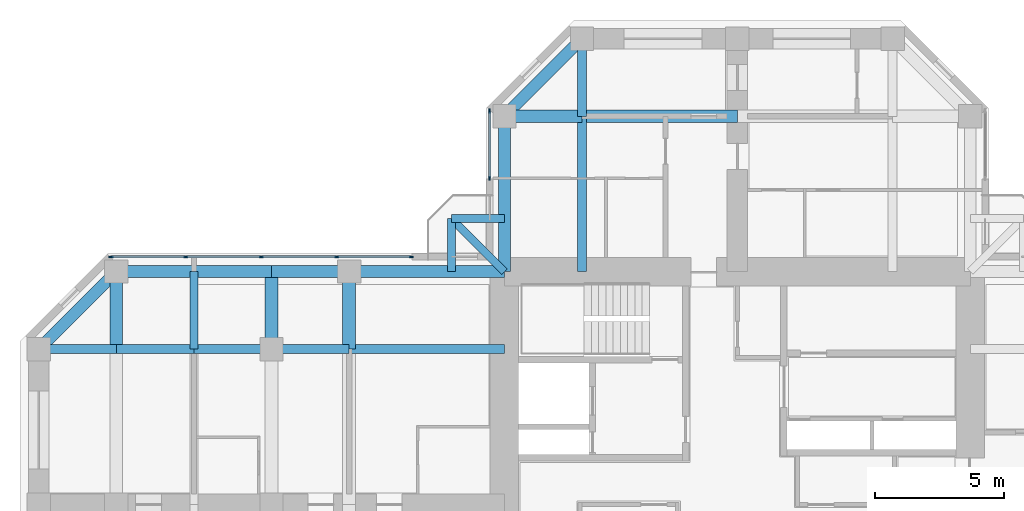
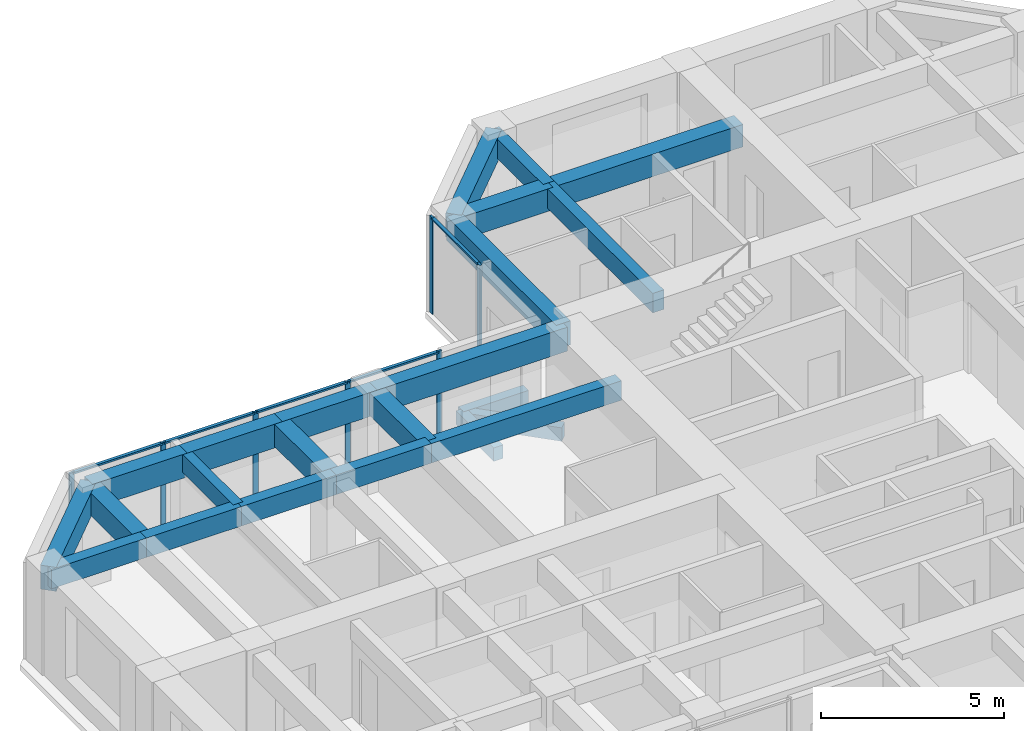
# One storey, part 5 of 14: 23 beams, 12 members, 2 elements without a shape of their own.
"""IFC4 building model written with IfcOpenShell, lengths in metres."""

from ifc_helpers import new_model, si_unit, direction, frame, origin, origin_2d, place, context, subcontext, project, spatial, rectangle, extrude, material, material_profile, profile_set, type_object, element, aggregate, save


model = new_model("IFC4")

# Units and contexts
model_context = context("Model", 3, precision=1e-05, world=origin(), true_north=direction((0.0, 1.0)))
body_context = subcontext(model_context, "Body", "Model", "MODEL_VIEW")
ifc_project = project(units=[si_unit("LENGTHUNIT", "METRE"), si_unit("AREAUNIT", "SQUARE_METRE"), si_unit("VOLUMEUNIT", "CUBIC_METRE"), si_unit("PLANEANGLEUNIT", "RADIAN"), si_unit("MASSUNIT", "GRAM", prefix="KILO")], contexts=[model_context])

# Site, building, storey
site_placement = place(None, origin())
site = spatial("IfcSite", under=ifc_project, at=site_placement, CompositionType="ELEMENT")
building_placement = place(site_placement, origin())
building = spatial("IfcBuilding", under=site, at=building_placement, Name="Torre Cruceta", CompositionType="ELEMENT")
storey_placement = place(building_placement, frame((0.0, 0.0, 210.300048828125)))
storey = spatial("IfcBuildingStorey", under=building, at=storey_placement, Name="L53", CompositionType="ELEMENT", Elevation=210.300048828125)

# Beams
ifc_material_1 = material(Name="Concrete G60 (fck 60 MPa)", Category="concrete")
ifc_material_profile_1 = material_profile(ifc_material_1, rectangle(XDim=0.300048828125, YDim=0.449951171875, at=origin_2d()), Name="RC 300X450")
ifc_profile_set_1 = profile_set([ifc_material_profile_1], Name="Concrete G60 (fck 60 MPa)")
beam_type_1 = type_object("IfcBeamType", Name="BALCONY CANTILEVER BEAM RC 300X450", PredefinedType="BEAM", material=ifc_profile_set_1)
beam_1_placement = place(storey_placement, frame((-9.0, 9.0, -0.405029296875), z_axis=(-0.707106781187, 0.707106781187, 0.0), x_axis=(-0.707106781187, -0.707106781187, 0.0)))
element("IfcBeam", 1, at=beam_1_placement, inside=storey, type_object=beam_type_1, Name="BB1 balcony beam L53 N", PredefinedType="BEAM", context=body_context, shape_type="SweptSolid", body=[
    extrude(rectangle(XDim=0.300048828125, YDim=0.449951171875, at=origin_2d()), origin(), (0.0, 0.0, 1.0), 2.89990234375),
])
for number, where, z_axis, x_axis, name in (
    (2, (-11.050537109375, 9.0, -0.405029296875), (0.0, 1.0, 0.0), (-1.0, 0.0, 0.0), "BB1 balcony edge beam L53 N-X"),
    (3, (-9.0, 11.050537109375, -0.405029296875), (-1.0, 0.0, 0.0), (0.0, -1.0, 0.0), "BB1 balcony edge beam L53 N-Y"),
):
    element("IfcBeam", number, at=place(storey_placement, frame(where, z_axis=z_axis, x_axis=x_axis)), inside=storey, type_object=beam_type_1, Name=name, PredefinedType="BEAM", context=body_context, shape_type="SweptSolid", body=[
        extrude(rectangle(XDim=0.300048828125, YDim=0.449951171875, at=origin_2d()), origin(), (0.0, 0.0, 1.0), 2.050537109375),
    ])
ifc_material_2 = material(Name="Concrete G60 (fck 60 MPa)", Category="concrete")
ifc_material_profile_2 = material_profile(ifc_material_2, rectangle(XDim=0.35009765625, YDim=0.64990234375, at=origin_2d()), Name="RC 350X650")
ifc_profile_set_2 = profile_set([ifc_material_profile_2], Name="Concrete G60 (fck 60 MPa)")
beam_type_2 = type_object("IfcBeamType", Name="COLUMN LINE BEAM RC 350X650", PredefinedType="BEAM", material=ifc_profile_set_2)
beam_2_placement = place(storey_placement, frame((-6.0, 9.0, 2.89501953125), z_axis=(0.0, 1.0, 0.0), x_axis=(-1.0, 0.0, 0.0)))
element("IfcBeam", 4, at=beam_2_placement, inside=storey, type_object=beam_type_2, Name="LB7 L53 N col+ 1", PredefinedType="BEAM", context=body_context, shape_type="SweptSolid", body=[
    extrude(rectangle(XDim=0.35009765625, YDim=0.64990234375, at=origin_2d()), origin(), (0.0, 0.0, 1.0), 6.0),
])
beam_3_placement = place(storey_placement, frame((-6.0, 15.0, 2.89501953125), z_axis=(0.0, 1.0, 0.0), x_axis=(-1.0, 0.0, 0.0)))
element("IfcBeam", 5, at=beam_3_placement, inside=storey, type_object=beam_type_2, Name="LB7 L53 N col+ 2", PredefinedType="BEAM", context=body_context, shape_type="SweptSolid", body=[
    extrude(rectangle(XDim=0.35009765625, YDim=0.64990234375, at=origin_2d()), origin(), (0.0, 0.0, 1.0), 3.0),
])
beam_4_placement = place(storey_placement, frame((-9.0, 6.0, 2.89501953125), z_axis=(-1.0, 0.0, 0.0), x_axis=(0.0, -1.0, 0.0)))
element("IfcBeam", 6, at=beam_4_placement, inside=storey, type_object=beam_type_2, Name="LB7 L53 W col- 1", PredefinedType="BEAM", context=body_context, shape_type="SweptSolid", body=[
    extrude(rectangle(XDim=0.35009765625, YDim=0.64990234375, at=origin_2d()), origin(), (0.0, 0.0, 1.0), 6.0),
])
for number, where, z_axis, x_axis, name in (
    (7, (-15.0, 6.0, 2.89501953125), (-1.0, 0.0, 0.0), (0.0, -1.0, 0.0), "LB7 L53 W col- 2"),
    (8, (-18.0, 6.0, 2.89501953125), (-1.0, 0.0, 0.0), (0.0, -1.0, 0.0), "LB7 L53 W col- 3"),
    (9, (-21.0, 6.0, 2.89501953125), (-1.0, 0.0, 0.0), (0.0, -1.0, 0.0), "LB7 L53 W col- 4"),
    (10, (-24.0, 6.0, 2.89501953125), (-1.0, 0.0, 0.0), (0.0, -1.0, 0.0), "LB7 L53 W col- 5"),
):
    element("IfcBeam", number, at=place(storey_placement, frame(where, z_axis=z_axis, x_axis=x_axis)), inside=storey, type_object=beam_type_2, Name=name, PredefinedType="BEAM", context=body_context, shape_type="SweptSolid", body=[
        extrude(rectangle(XDim=0.35009765625, YDim=0.64990234375, at=origin_2d()), origin(), (0.0, 0.0, 1.0), 3.0),
    ])
ifc_material_3 = material(Name="Concrete G60 (fck 60 MPa)", Category="concrete")
ifc_material_profile_3 = material_profile(ifc_material_3, rectangle(XDim=0.5, YDim=0.75, at=origin_2d()), Name="RC 500X750")
ifc_profile_set_3 = profile_set([ifc_material_profile_3], Name="Concrete G60 (fck 60 MPa)")
beam_type_3 = type_object("IfcBeamType", Name="CROSS BEAM RC 500X750", PredefinedType="BEAM", material=ifc_profile_set_3)
beam_5_placement = place(storey_placement, frame((0.0, 15.0, 2.844970703125), z_axis=(-1.0, 0.0, 0.0), x_axis=(0.0, -1.0, 0.0)))
element("IfcBeam", 11, at=beam_5_placement, inside=storey, type_object=beam_type_3, Name="GB6 L53 N cross15 3", PredefinedType="BEAM", context=body_context, shape_type="SweptSolid", body=[
    extrude(rectangle(XDim=0.5, YDim=0.75, at=origin_2d()), origin(), (0.0, 0.0, 1.0), 6.0),
])
for number, where, z_axis, x_axis, name in (
    (12, (-6.0, 15.0, 2.844970703125), (-1.0, 0.0, 0.0), (0.0, -1.0, 0.0), "GB6 L53 N cross15 4"),
    (13, (-15.0, 9.0, 2.844970703125), (0.0, -1.0, 0.0), (1.0, 0.0, 0.0), "GB6 L53 W cross15 1"),
    (14, (-18.0, 9.0, 2.844970703125), (0.0, -1.0, 0.0), (1.0, 0.0, 0.0), "GB6 L53 W cross18 1"),
    (15, (-24.0, 9.0, 2.844970703125), (0.0, -1.0, 0.0), (1.0, 0.0, 0.0), "GB6 L53 W cross24 1"),
):
    element("IfcBeam", number, at=place(storey_placement, frame(where, z_axis=z_axis, x_axis=x_axis)), inside=storey, type_object=beam_type_3, Name=name, PredefinedType="BEAM", context=body_context, shape_type="SweptSolid", body=[
        extrude(rectangle(XDim=0.5, YDim=0.75, at=origin_2d()), origin(), (0.0, 0.0, 1.0), 3.0),
    ])

# Curtain wall, members
ifc_material_4 = material(Name="Aluminium unitised curtain wall", Category="aluminium")
curtain_wall_type = type_object("IfcCurtainWallType", Name="CURTAIN WALL CW-C CO-LIVING", PredefinedType="USERDEFINED", material=ifc_material_4)
curtain_wall_1_placement = place(storey_placement, origin())
curtain_wall_1 = element("IfcCurtainWall", 16, at=curtain_wall_1_placement, inside=storey, type_object=curtain_wall_type, Name="CW-C L53 N side 09", ObjectType="UNITISED", PredefinedType="USERDEFINED")
ifc_material_5 = material(Name="Aluminium mullion", Category="aluminium")
ifc_material_profile_4 = material_profile(ifc_material_5, rectangle(XDim=0.06005859375, YDim=0.159912109375, at=origin_2d()), Name="AL 60X160")
ifc_profile_set_4 = profile_set([ifc_material_profile_4], Name="Aluminium mullion")
member_type_1 = type_object("IfcMemberType", Name="CW-C MULLION 60X160", PredefinedType="MULLION", material=ifc_profile_set_4)
member_1_placement = place(storey_placement, frame((-9.570068359375, 15.2060546875, 0.0), z_axis=(0.0, 0.0, 1.0), x_axis=(1.0, 0.0, 0.0)))
member_1 = element("IfcMember", 17, at=member_1_placement, type_object=member_type_1, Name="CW-C mullion 1", PredefinedType="MULLION", context=body_context, shape_type="SweptSolid", body=[
    extrude(rectangle(XDim=0.06005859375, YDim=0.159912109375, at=origin_2d()), origin(), (0.0, 0.0, 1.0), 3.219970703125),
])
member_2_placement = place(storey_placement, frame((-9.570068359375, 12.60009765625, 0.0), z_axis=(0.0, 0.0, 1.0), x_axis=(1.0, 0.0, 0.0)))
member_2 = element("IfcMember", 18, at=member_2_placement, type_object=member_type_1, Name="CW-C mullion 2", PredefinedType="MULLION", context=body_context, shape_type="SweptSolid", body=[
    extrude(rectangle(XDim=0.06005859375, YDim=0.159912109375, at=origin_2d()), origin(), (0.0, 0.0, 1.0), 3.219970703125),
])

curtain_wall_2_placement = place(storey_placement, origin())
curtain_wall_2 = element("IfcCurtainWall", 19, at=curtain_wall_2_placement, inside=storey, type_object=curtain_wall_type, Name="CW-C L53 W side 10", ObjectType="UNITISED", PredefinedType="USERDEFINED")
member_3_placement = place(storey_placement, frame((-12.60009765625, 9.570068359375, 0.0), z_axis=(0.0, 0.0, 1.0), x_axis=(0.0, -1.0, 0.0)))
member_3 = element("IfcMember", 20, at=member_3_placement, type_object=member_type_1, Name="CW-C mullion 1", PredefinedType="MULLION", context=body_context, shape_type="SweptSolid", body=[
    extrude(rectangle(XDim=0.06005859375, YDim=0.159912109375, at=origin_2d()), origin(), (0.0, 0.0, 1.0), 3.219970703125),
])
member_4_placement = place(storey_placement, frame((-15.486572265625, 9.570068359375, 0.0), z_axis=(0.0, 0.0, 1.0), x_axis=(0.0, -1.0, 0.0)))
member_4 = element("IfcMember", 21, at=member_4_placement, type_object=member_type_1, Name="CW-C mullion 2", PredefinedType="MULLION", context=body_context, shape_type="SweptSolid", body=[
    extrude(rectangle(XDim=0.06005859375, YDim=0.159912109375, at=origin_2d()), origin(), (0.0, 0.0, 1.0), 3.219970703125),
])
member_5_placement = place(storey_placement, frame((-18.403076171875, 9.570068359375, 0.0), z_axis=(0.0, 0.0, 1.0), x_axis=(0.0, -1.0, 0.0)))
member_5 = element("IfcMember", 22, at=member_5_placement, type_object=member_type_1, Name="CW-C mullion 3", PredefinedType="MULLION", context=body_context, shape_type="SweptSolid", body=[
    extrude(rectangle(XDim=0.06005859375, YDim=0.159912109375, at=origin_2d()), origin(), (0.0, 0.0, 1.0), 3.219970703125),
])
member_6_placement = place(storey_placement, frame((-21.319580078125, 9.570068359375, 0.0), z_axis=(0.0, 0.0, 1.0), x_axis=(0.0, -1.0, 0.0)))
member_6 = element("IfcMember", 23, at=member_6_placement, type_object=member_type_1, Name="CW-C mullion 4", PredefinedType="MULLION", context=body_context, shape_type="SweptSolid", body=[
    extrude(rectangle(XDim=0.06005859375, YDim=0.159912109375, at=origin_2d()), origin(), (0.0, 0.0, 1.0), 3.219970703125),
])
member_7_placement = place(storey_placement, frame((-24.2060546875, 9.570068359375, 0.0), z_axis=(0.0, 0.0, 1.0), x_axis=(0.0, -1.0, 0.0)))
member_7 = element("IfcMember", 24, at=member_7_placement, type_object=member_type_1, Name="CW-C mullion 5", PredefinedType="MULLION", context=body_context, shape_type="SweptSolid", body=[
    extrude(rectangle(XDim=0.06005859375, YDim=0.159912109375, at=origin_2d()), origin(), (0.0, 0.0, 1.0), 3.219970703125),
])

# Member
ifc_material_6 = material(Name="Aluminium transom", Category="aluminium")
ifc_material_profile_5 = material_profile(ifc_material_6, rectangle(XDim=0.10009765625, YDim=0.06005859375, at=origin_2d()), Name="AL 100X60")
ifc_profile_set_5 = profile_set([ifc_material_profile_5], Name="Aluminium transom")
member_type_2 = type_object("IfcMemberType", Name="CW-C TRANSOM 60X100", PredefinedType="USERDEFINED", material=ifc_profile_set_5)
member_8_placement = place(storey_placement, frame((-9.570068359375, 15.176025390625, 3.18994140625), z_axis=(0.0, -1.0, 0.0), x_axis=(1.0, 0.0, 0.0)))
member_8 = element("IfcMember", 25, at=member_8_placement, type_object=member_type_2, Name="CW-C transom 1", ObjectType="TRANSOM", PredefinedType="USERDEFINED", context=body_context, shape_type="SweptSolid", body=[
    extrude(rectangle(XDim=0.10009765625, YDim=0.06005859375, at=origin_2d()), origin(), (0.0, 0.0, 1.0), 2.546142578125),
])

aggregate(curtain_wall_1, [member_1, member_2, member_8])

member_9_placement = place(storey_placement, frame((-12.6298828125, 9.570068359375, 3.18994140625), z_axis=(-1.0, 0.0, 0.0), x_axis=(0.0, -1.0, 0.0)))
member_9 = element("IfcMember", 26, at=member_9_placement, type_object=member_type_2, Name="CW-C transom 1", ObjectType="TRANSOM", PredefinedType="USERDEFINED", context=body_context, shape_type="SweptSolid", body=[
    extrude(rectangle(XDim=0.10009765625, YDim=0.06005859375, at=origin_2d()), origin(), (0.0, 0.0, 1.0), 2.82666015625),
])

member_10_placement = place(storey_placement, frame((-15.5166015625, 9.570068359375, 3.18994140625), z_axis=(-1.0, 0.0, 0.0), x_axis=(0.0, -1.0, 0.0)))
member_10 = element("IfcMember", 27, at=member_10_placement, type_object=member_type_2, Name="CW-C transom 2", ObjectType="TRANSOM", PredefinedType="USERDEFINED", context=body_context, shape_type="SweptSolid", body=[
    extrude(rectangle(XDim=0.10009765625, YDim=0.06005859375, at=origin_2d()), origin(), (0.0, 0.0, 1.0), 2.8564453125),
])

member_11_placement = place(storey_placement, frame((-18.43310546875, 9.570068359375, 3.18994140625), z_axis=(-1.0, 0.0, 0.0), x_axis=(0.0, -1.0, 0.0)))
member_11 = element("IfcMember", 28, at=member_11_placement, type_object=member_type_2, Name="CW-C transom 3", ObjectType="TRANSOM", PredefinedType="USERDEFINED", context=body_context, shape_type="SweptSolid", body=[
    extrude(rectangle(XDim=0.10009765625, YDim=0.06005859375, at=origin_2d()), origin(), (0.0, 0.0, 1.0), 2.8564453125),
])

member_12_placement = place(storey_placement, frame((-21.349609375, 9.570068359375, 3.18994140625), z_axis=(-1.0, 0.0, 0.0), x_axis=(0.0, -1.0, 0.0)))
member_12 = element("IfcMember", 29, at=member_12_placement, type_object=member_type_2, Name="CW-C transom 4", ObjectType="TRANSOM", PredefinedType="USERDEFINED", context=body_context, shape_type="SweptSolid", body=[
    extrude(rectangle(XDim=0.10009765625, YDim=0.06005859375, at=origin_2d()), origin(), (0.0, 0.0, 1.0), 2.826416015625),
])

aggregate(curtain_wall_2, [member_3, member_4, member_5, member_6, member_7, member_9, member_10, member_11, member_12])

# Beams
ifc_material_7 = material(Name="Concrete G60 (fck 60 MPa)", Category="concrete")
ifc_material_profile_6 = material_profile(ifc_material_7, rectangle(XDim=0.300048828125, YDim=0.60009765625, at=origin_2d()), Name="RC 300X600")
ifc_profile_set_6 = profile_set([ifc_material_profile_6], Name="Concrete G60 (fck 60 MPa)")
beam_type_4 = type_object("IfcBeamType", Name="SECONDARY BEAM RC 300X600", PredefinedType="JOIST", material=ifc_profile_set_6)
beam_6_placement = place(storey_placement, frame((-21.0, 9.0, 2.919921875), z_axis=(0.0, -1.0, 0.0), x_axis=(1.0, 0.0, 0.0)))
element("IfcBeam", 30, at=beam_6_placement, inside=storey, type_object=beam_type_4, Name="JB6 L53 W sec21 1", PredefinedType="JOIST", context=body_context, shape_type="SweptSolid", body=[
    extrude(rectangle(XDim=0.300048828125, YDim=0.60009765625, at=origin_2d()), origin(), (0.0, 0.0, 1.0), 3.0),
])
ifc_material_8 = material(Name="Concrete G60 (fck 60 MPa)", Category="concrete")
ifc_material_profile_7 = material_profile(ifc_material_8, rectangle(XDim=0.449951171875, YDim=0.800048828125, at=origin_2d()), Name="RC 450X800")
ifc_profile_set_7 = profile_set([ifc_material_profile_7], Name="Concrete G60 (fck 60 MPa)")
beam_type_5 = type_object("IfcBeamType", Name="SPANDREL BEAM RC 450X800", PredefinedType="SPANDREL", material=ifc_profile_set_7)
beam_7_placement = place(storey_placement, frame((-9.0, 9.0, 2.820068359375), z_axis=(0.0, 1.0, 0.0), x_axis=(-1.0, 0.0, 0.0)))
element("IfcBeam", 31, at=beam_7_placement, inside=storey, type_object=beam_type_5, Name="SB6 L53 N side+ 1", PredefinedType="SPANDREL", context=body_context, shape_type="SweptSolid", body=[
    extrude(rectangle(XDim=0.449951171875, YDim=0.800048828125, at=origin_2d()), origin(), (0.0, 0.0, 1.0), 6.0),
])
beam_8_placement = place(storey_placement, frame((-9.0, 15.0, 2.820068359375), z_axis=(0.707106781187, 0.707106781187, 0.0), x_axis=(-0.707106781187, 0.707106781187, 0.0)))
element("IfcBeam", 32, at=beam_8_placement, inside=storey, type_object=beam_type_5, Name="SB6 L53 N side+ 2", PredefinedType="SPANDREL", context=body_context, shape_type="SweptSolid", body=[
    extrude(rectangle(XDim=0.449951171875, YDim=0.800048828125, at=origin_2d()), origin(), (0.0, 0.0, 1.0), 4.24267578125),
])
beam_9_placement = place(storey_placement, frame((-9.0, 9.0, 2.820068359375), z_axis=(-1.0, 0.0, 0.0), x_axis=(0.0, -1.0, 0.0)))
element("IfcBeam", 33, at=beam_9_placement, inside=storey, type_object=beam_type_5, Name="SB6 L53 W side- 1", PredefinedType="SPANDREL", context=body_context, shape_type="SweptSolid", body=[
    extrude(rectangle(XDim=0.449951171875, YDim=0.800048828125, at=origin_2d()), origin(), (0.0, 0.0, 1.0), 6.0),
])
for number, where, z_axis, x_axis, name in (
    (34, (-15.0, 9.0, 2.820068359375), (-1.0, 0.0, 0.0), (0.0, -1.0, 0.0), "SB6 L53 W side- 2"),
    (35, (-18.0, 9.0, 2.820068359375), (-1.0, 0.0, 0.0), (0.0, -1.0, 0.0), "SB6 L53 W side- 3"),
    (36, (-21.0, 9.0, 2.820068359375), (-1.0, 0.0, 0.0), (0.0, -1.0, 0.0), "SB6 L53 W side- 4"),
):
    element("IfcBeam", number, at=place(storey_placement, frame(where, z_axis=z_axis, x_axis=x_axis)), inside=storey, type_object=beam_type_5, Name=name, PredefinedType="SPANDREL", context=body_context, shape_type="SweptSolid", body=[
        extrude(rectangle(XDim=0.449951171875, YDim=0.800048828125, at=origin_2d()), origin(), (0.0, 0.0, 1.0), 3.0),
    ])
beam_10_placement = place(storey_placement, frame((-24.0, 9.0, 2.820068359375), z_axis=(-0.707106781187, -0.707106781187, 0.0), x_axis=(0.707106781187, -0.707106781187, 0.0)))
element("IfcBeam", 37, at=beam_10_placement, inside=storey, type_object=beam_type_5, Name="SB6 L53 W side- 5", PredefinedType="SPANDREL", context=body_context, shape_type="SweptSolid", body=[
    extrude(rectangle(XDim=0.449951171875, YDim=0.800048828125, at=origin_2d()), origin(), (0.0, 0.0, 1.0), 4.24267578125),
])

save(model, "model.ifc")
